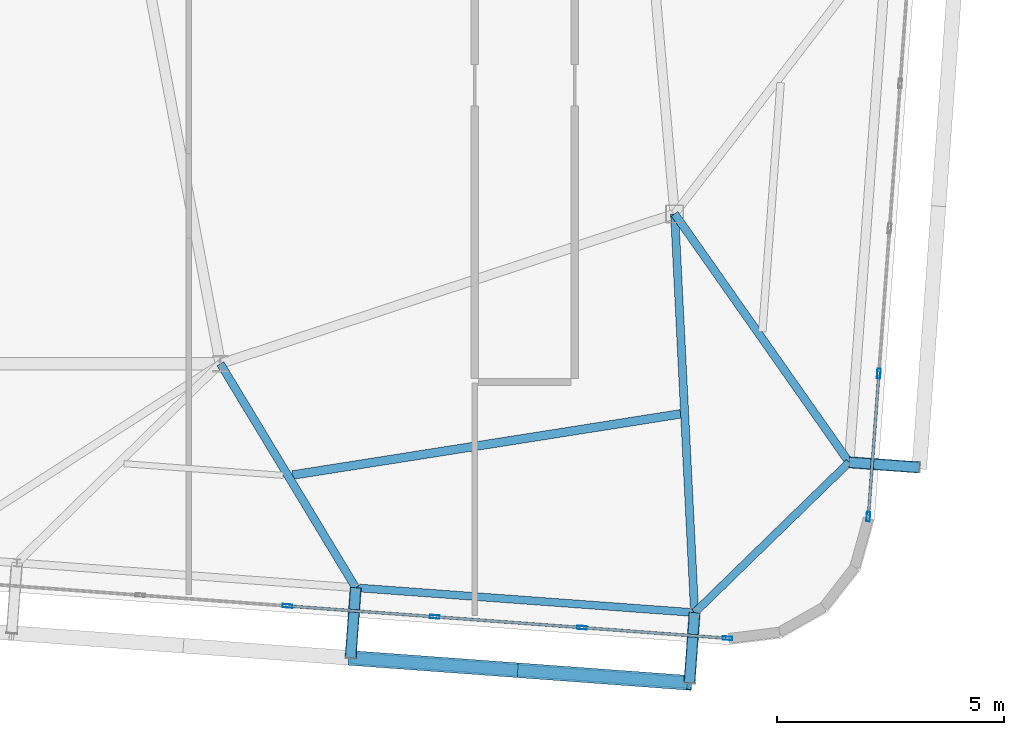
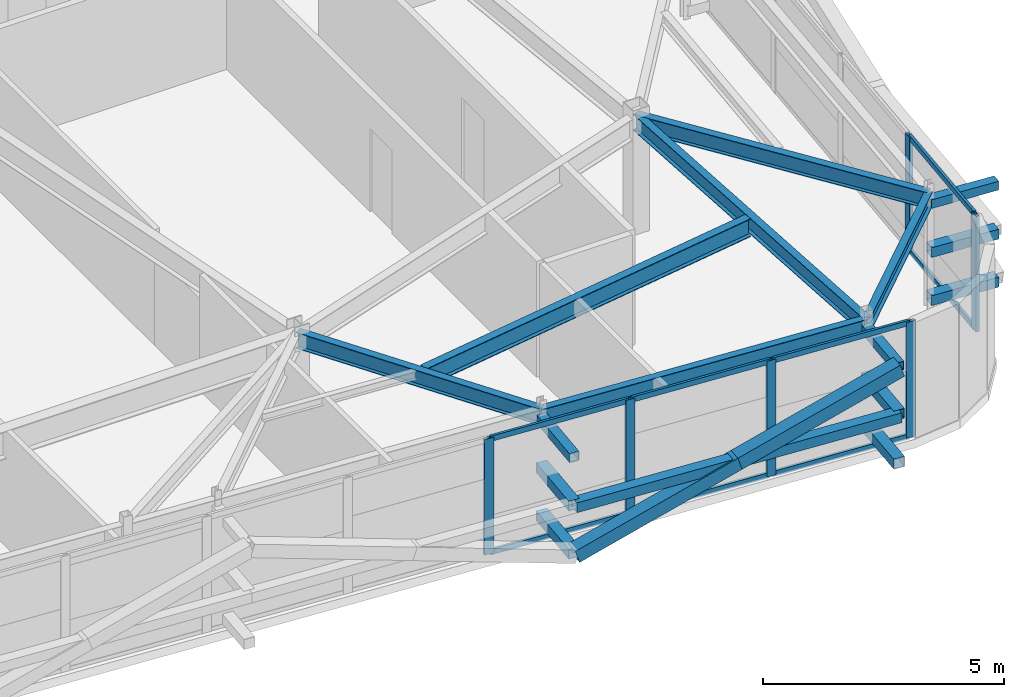
# One storey, part 19 of 42: 26 members, 6 beams, 2 elements without a shape of their own.
"""IFC4 building model written with IfcOpenShell, lengths in metres."""

from ifc_helpers import new_model, si_unit, direction, frame, origin, origin_2d, place, context, subcontext, project, spatial, hollow_rectangle, i_section, extrude, source, transform, mapped, material, layer, layer_set, material_profile, profile_set, type_object, element, aggregate, save


model = new_model("IFC4")

# Units and contexts
model_context = context("Model", 3, precision=1e-05, world=origin(), true_north=direction((0.0, 1.0)))
body_context = subcontext(model_context, "Body", "Model", "MODEL_VIEW")
ifc_project = project(units=[si_unit("LENGTHUNIT", "METRE"), si_unit("AREAUNIT", "SQUARE_METRE"), si_unit("VOLUMEUNIT", "CUBIC_METRE"), si_unit("PLANEANGLEUNIT", "RADIAN"), si_unit("MASSUNIT", "GRAM", prefix="KILO")], contexts=[model_context])

# Site, building, storey
site_placement = place(None, origin())
site = spatial("IfcSite", under=ifc_project, at=site_placement, CompositionType="ELEMENT")
building_placement = place(site_placement, origin())
building = spatial("IfcBuilding", under=site, at=building_placement, Name="Taldren Reach Tower", CompositionType="ELEMENT")
storey_placement = place(building_placement, frame((0.0, 0.0, 224.0)))
storey = spatial("IfcBuildingStorey", under=building, at=storey_placement, Name="L68", CompositionType="ELEMENT", Elevation=224.0)

# Members
ifc_material_1 = material(Name="Steel Gr 350 (C350L0)", Category="steel")
ifc_material_profile_1 = material_profile(ifc_material_1, hollow_rectangle(XDim=0.25, YDim=0.25, WallThickness=0.010009765625, at=origin_2d()), Name="250x250x10.0SHS")
ifc_profile_set_1 = profile_set([ifc_material_profile_1], Name="Steel Gr 350 (C350L0)")
member_type_1 = type_object("IfcMemberType", Name="MB-POST250", PredefinedType="POST", material=ifc_profile_set_1)
shared_shape_1 = source(origin(), body_context, "Body", "SweptSolid", [
    extrude(hollow_rectangle(XDim=0.25, YDim=0.25, WallThickness=0.010009765625, at=origin_2d()), origin(), (0.0, 0.0, 1.0), 1.550048828125),
])
for number, where, z_axis, x_axis, name in (
    (1, (44.980224609375, 4.26904296875, 0.219970703125), (-0.07323929162, -0.997314396849, 0.0), (0.997314396849, -0.07323929162, 0.0), "Exoskeleton base diaphragm tie strut B5-S5 L68"),
    (2, (52.440185546875, 3.72119140625, 0.219970703125), (-0.07323929162, -0.997314396849, 0.0), (0.997314396849, -0.07323929162, 0.0), "Exoskeleton base diaphragm tie strut B5-S6 L68"),
    (3, (44.980224609375, 4.26904296875, 1.43505859375), (-0.07323929162, -0.997314396849, 0.0), (0.997314396849, -0.07323929162, 0.0), "Exoskeleton mid-tier diaphragm tie B5-S5 L68"),
    (4, (52.440185546875, 3.72119140625, 1.43505859375), (-0.07323929162, -0.997314396849, 0.0), (0.997314396849, -0.07323929162, 0.0), "Exoskeleton mid-tier diaphragm tie B5-S6 L68"),
):
    element("IfcMember", number, at=place(storey_placement, frame(where, z_axis=z_axis, x_axis=x_axis)), inside=storey, type_object=member_type_1, Name=name, PredefinedType="POST", context=body_context, shape_type="MappedRepresentation", body=[
        mapped(shared_shape_1, transform((0.0, 0.0, 0.0), scale=1.0)),
    ])
ifc_material_2 = material(Name="Steel Gr 450 (C450L0)", Category="steel")
ifc_material_profile_2 = material_profile(ifc_material_2, hollow_rectangle(XDim=0.219970703125, YDim=0.219970703125, WallThickness=0.00830078125, at=origin_2d()), Name="220x220x8.2SHS")
ifc_profile_set_2 = profile_set([ifc_material_profile_2], Name="Steel Gr 450 (C450L0)")
member_type_2 = type_object("IfcMemberType", Name="MB-TIE219", PredefinedType="STRUT", material=ifc_profile_set_2)
shared_shape_2 = source(origin(), body_context, "Body", "SweptSolid", [
    extrude(hollow_rectangle(XDim=0.219970703125, YDim=0.219970703125, WallThickness=0.00830078125, at=origin_2d()), origin(), (0.0, 0.0, 1.0), 1.550048828125),
])
for number, where, z_axis, x_axis, name in (
    (5, (44.980224609375, 4.26904296875, 2.64990234375), (-0.07323929162, -0.997314396849, 0.0), (0.997314396849, -0.07323929162, 0.0), "Exoskeleton diaphragm tie strut B5-S5 L68"),
    (6, (52.440185546875, 3.72119140625, 2.64990234375), (-0.07323929162, -0.997314396849, 0.0), (0.997314396849, -0.07323929162, 0.0), "Exoskeleton diaphragm tie strut B5-S6 L68"),
):
    element("IfcMember", number, at=place(storey_placement, frame(where, z_axis=z_axis, x_axis=x_axis)), inside=storey, type_object=member_type_2, Name=name, PredefinedType="STRUT", context=body_context, shape_type="MappedRepresentation", body=[
        mapped(shared_shape_2, transform((0.0, 0.0, 0.0), scale=1.0)),
    ])

# Beams
ifc_material_3 = material(Name="Steel Gr 350 (350PLUS)", Category="steel")
ifc_material_profile_3 = material_profile(ifc_material_3, i_section(OverallWidth=0.172119140625, OverallDepth=0.35888671875, WebThickness=0.008056640625, FlangeThickness=0.012939453125, at=origin_2d()), Name="360UB56.7")
ifc_profile_set_3 = profile_set([ifc_material_profile_3], Name="Steel Gr 350 (350PLUS)")
beam_type_1 = type_object("IfcBeamType", Name="SP-UB360", PredefinedType="SPANDREL", material=ifc_profile_set_3)
shared_shape_3 = source(origin(), body_context, "Body", "SweptSolid", [
    extrude(i_section(OverallWidth=0.172119140625, OverallDepth=0.35888671875, WebThickness=0.008056640625, FlangeThickness=0.012939453125, at=origin_2d()), origin(), (0.0, 0.0, 1.0), 7.47998046875),
])
beam_1_placement = place(storey_placement, frame((44.980224609375, 4.26904296875, 2.75048828125), z_axis=(0.997314220642, -0.07324169103, 0.0), x_axis=(0.07324169103, 0.997314220642, 0.0)))
element("IfcBeam", 7, at=beam_1_placement, inside=storey, type_object=beam_type_1, Name="Perimeter spandrel B5 S5-S6 L68", PredefinedType="SPANDREL", context=body_context, shape_type="MappedRepresentation", body=[
    mapped(shared_shape_3, transform((0.0, 0.0, 0.0), scale=1.0)),
])
shared_shape_4 = source(origin(), body_context, "Body", "SweptSolid", [
    extrude(i_section(OverallWidth=0.172119140625, OverallDepth=0.35888671875, WebThickness=0.008056640625, FlangeThickness=0.012939453125, at=origin_2d()), origin(), (0.0, 0.0, 1.0), 4.74609375),
])
beam_2_placement = place(storey_placement, frame((52.440185546875, 3.72119140625, 2.75048828125), z_axis=(0.716711338436, 0.697369957309, 0.0), x_axis=(-0.697369957309, 0.716711338436, 0.0)))
element("IfcBeam", 8, at=beam_2_placement, inside=storey, type_object=beam_type_1, Name="Perimeter spandrel B5 S6-E1 L68", PredefinedType="SPANDREL", context=body_context, shape_type="MappedRepresentation", body=[
    mapped(shared_shape_4, transform((0.0, 0.0, 0.0), scale=1.0)),
])
ifc_material_profile_4 = material_profile(ifc_material_3, i_section(OverallWidth=0.177978515625, OverallDepth=0.406005859375, WebThickness=0.0078125, FlangeThickness=0.0126953125, at=origin_2d()), Name="410UB59.7")
ifc_profile_set_4 = profile_set([ifc_material_profile_4], Name="Steel Gr 350 (350PLUS)")
beam_type_2 = type_object("IfcBeamType", Name="BM-UB410", PredefinedType="BEAM", material=ifc_profile_set_4)
shared_shape_5 = source(origin(), body_context, "Body", "SweptSolid", [
    extrude(i_section(OverallWidth=0.177978515625, OverallDepth=0.406005859375, WebThickness=0.0078125, FlangeThickness=0.0126953125, at=origin_2d()), origin(), (0.0, 0.0, 1.0), 5.761474609375),
])
beam_3_placement = place(storey_placement, frame((42.0, 9.199951171875, 2.72705078125), z_axis=(0.517259852514, -0.855828396922, 0.0), x_axis=(0.855828396922, 0.517259852514, 0.0)))
element("IfcBeam", 9, at=beam_3_placement, inside=storey, type_object=beam_type_2, Name="Primary floor girder B5-S5 L68", PredefinedType="BEAM", context=body_context, shape_type="MappedRepresentation", body=[
    mapped(shared_shape_5, transform((0.0, 0.0, 0.0), scale=1.0)),
])
shared_shape_6 = source(origin(), body_context, "Body", "SweptSolid", [
    extrude(i_section(OverallWidth=0.177978515625, OverallDepth=0.406005859375, WebThickness=0.0078125, FlangeThickness=0.0126953125, at=origin_2d()), origin(), (0.0, 0.0, 1.0), 8.789794921875),
])
beam_4_placement = place(storey_placement, frame((52.0, 12.5, 2.72705078125), z_axis=(0.050078917367, -0.998745263836, 0.0), x_axis=(0.998745263836, 0.050078917367, 0.0)))
element("IfcBeam", 10, at=beam_4_placement, inside=storey, type_object=beam_type_2, Name="Primary floor girder B5-S6 L68", PredefinedType="BEAM", context=body_context, shape_type="MappedRepresentation", body=[
    mapped(shared_shape_6, transform((0.0, 0.0, 0.0), scale=1.0)),
])
shared_shape_7 = source(origin(), body_context, "Body", "SweptSolid", [
    extrude(i_section(OverallWidth=0.177978515625, OverallDepth=0.406005859375, WebThickness=0.0078125, FlangeThickness=0.0126953125, at=origin_2d()), origin(), (0.0, 0.0, 1.0), 6.68359375),
])
beam_5_placement = place(storey_placement, frame((52.0, 12.5, 2.72705078125), z_axis=(0.574817292651, -0.818281785249, 0.0), x_axis=(0.818281785249, 0.574817292651, 0.0)))
element("IfcBeam", 11, at=beam_5_placement, inside=storey, type_object=beam_type_2, Name="Primary floor girder B5-E1 L68", PredefinedType="BEAM", context=body_context, shape_type="MappedRepresentation", body=[
    mapped(shared_shape_7, transform((0.0, 0.0, 0.0), scale=1.0)),
])
ifc_material_profile_5 = material_profile(ifc_material_3, i_section(OverallWidth=0.19091796875, OverallDepth=0.4599609375, WebThickness=0.010009765625, FlangeThickness=0.01611328125, at=origin_2d()), Name="460UB82.1")
ifc_profile_set_5 = profile_set([ifc_material_profile_5], Name="Steel Gr 350 (350PLUS)")
beam_type_3 = type_object("IfcBeamType", Name="BM-UB460A", PredefinedType="BEAM", material=ifc_profile_set_5)
shared_shape_8 = source(origin(), body_context, "Body", "SweptSolid", [
    extrude(i_section(OverallWidth=0.19091796875, OverallDepth=0.4599609375, WebThickness=0.010009765625, FlangeThickness=0.01611328125, at=origin_2d()), origin(), (0.0, 0.0, 1.0), 8.65185546875),
])
beam_6_placement = place(storey_placement, frame((43.585205078125, 6.74951171875, 2.699951171875), z_axis=(0.987803200413, 0.155707537562, 0.0), x_axis=(-0.155707537562, 0.987803200413, 0.0)))
element("IfcBeam", 12, at=beam_6_placement, inside=storey, type_object=beam_type_3, Name="Secondary floor beam B5 J5 L68", PredefinedType="BEAM", context=body_context, shape_type="MappedRepresentation", body=[
    mapped(shared_shape_8, transform((0.0, 0.0, 0.0), scale=1.0)),
])

# Members
shared_shape_9 = source(origin(), body_context, "Body", "SweptSolid", [
    extrude(hollow_rectangle(XDim=0.219970703125, YDim=0.219970703125, WallThickness=0.00830078125, at=origin_2d()), origin(), (0.0, 0.0, 1.0), 1.546142578125),
])
member_1_placement = place(storey_placement, frame((55.845703125, 7.030517578125, 2.64990234375), z_axis=(0.997323903953, -0.073109716202, 0.0), x_axis=(0.073109716202, 0.997323903953, 0.0)))
element("IfcMember", 13, at=member_1_placement, inside=storey, type_object=member_type_2, Name="Exoskeleton diaphragm tie strut B5-E1 L68", PredefinedType="STRUT", context=body_context, shape_type="MappedRepresentation", body=[
    mapped(shared_shape_9, transform((0.0, 0.0, 0.0), scale=1.0)),
])
ifc_material_profile_6 = material_profile(ifc_material_2, hollow_rectangle(XDim=0.324951171875, YDim=0.324951171875, WallThickness=0.0126953125, at=origin_2d()), Name="325x325x12.7SHS")
ifc_profile_set_6 = profile_set([ifc_material_profile_6], Name="Steel Gr 450 (C450L0)")
member_type_3 = type_object("IfcMemberType", Name="MB-BR324", PredefinedType="BRACE", material=ifc_profile_set_6)
shared_shape_10 = source(origin(), body_context, "Body", "SweptSolid", [
    extrude(hollow_rectangle(XDim=0.324951171875, YDim=0.324951171875, WallThickness=0.0126953125, at=origin_2d()), origin(), (0.0, 0.0, 1.0), 3.932373046875),
])
for number, where, z_axis, x_axis, name in (
    (14, (44.86669921875, 2.72314453125, 0.219970703125), (0.948511132845, -0.069657644394, 0.308989390507), (0.07324169103, 0.997314220642, 0.0), "Exoskeleton Diagrid Brace B5-S5 L68"),
    (15, (48.5966796875, 2.44921875, 1.43505859375), (0.948529326954, -0.06965898055, 0.308933232813), (0.07324169103, 0.997314220642, 0.0), "Exoskeleton Diagrid Brace B5-S5 L68"),
):
    element("IfcMember", number, at=place(storey_placement, frame(where, z_axis=z_axis, x_axis=x_axis)), inside=storey, type_object=member_type_3, Name=name, PredefinedType="BRACE", context=body_context, shape_type="MappedRepresentation", body=[
        mapped(shared_shape_10, transform((0.0, 0.0, 0.0), scale=1.0)),
    ])
shared_shape_11 = source(origin(), body_context, "Body", "SweptSolid", [
    extrude(hollow_rectangle(XDim=0.25, YDim=0.25, WallThickness=0.010009765625, at=origin_2d()), origin(), (0.0, 0.0, 1.0), 7.47998046875),
])
member_2_placement = place(storey_placement, frame((44.86669921875, 2.72314453125, 1.43505859375), z_axis=(0.997314220642, -0.07324169103, 0.0), x_axis=(0.07324169103, 0.997314220642, 0.0)))
element("IfcMember", 16, at=member_2_placement, inside=storey, type_object=member_type_1, Name="Exoskeleton mid-height ring chord B5-S5 L68", PredefinedType="POST", context=body_context, shape_type="MappedRepresentation", body=[
    mapped(shared_shape_11, transform((0.0, 0.0, 0.0), scale=1.0)),
])
shared_shape_12 = source(origin(), body_context, "Body", "SweptSolid", [
    extrude(hollow_rectangle(XDim=0.25, YDim=0.25, WallThickness=0.010009765625, at=origin_2d()), origin(), (0.0, 0.0, 1.0), 1.546142578125),
])
for number, where, z_axis, x_axis, name in (
    (17, (55.845703125, 7.030517578125, 0.219970703125), (0.997323903953, -0.073109716202, 0.0), (0.073109716202, 0.997323903953, 0.0), "Exoskeleton base diaphragm tie strut B5-E1 L68"),
    (18, (55.845703125, 7.030517578125, 1.43505859375), (0.997323903953, -0.073109716202, 0.0), (0.073109716202, 0.997323903953, 0.0), "Exoskeleton mid-tier diaphragm tie B5-E1 L68"),
):
    element("IfcMember", number, at=place(storey_placement, frame(where, z_axis=z_axis, x_axis=x_axis)), inside=storey, type_object=member_type_1, Name=name, PredefinedType="POST", context=body_context, shape_type="MappedRepresentation", body=[
        mapped(shared_shape_12, transform((0.0, 0.0, 0.0), scale=1.0)),
    ])

# Curtain wall, members
ifc_material_4 = material(Name="Aluminium and Low-E Glass Unitised System", Category="aluminium")
ifc_layer = layer(ifc_material_4, 0.159912109375)
ifc_layer_set = layer_set([ifc_layer], Name="Aluminium and Low-E Glass Unitised System")
curtain_wall_type = type_object("IfcCurtainWallType", Name="CW-SYS-6", PredefinedType="NOTDEFINED", material=ifc_layer_set)
curtain_wall_1_placement = place(storey_placement, origin())
curtain_wall_1 = element("IfcCurtainWall", 19, at=curtain_wall_1_placement, inside=storey, type_object=curtain_wall_type, Name="Unitised curtain wall CW-L68-S", PredefinedType="NOTDEFINED")
ifc_material_5 = material(Name="Anodised Aluminium 6063-T6", Category="aluminium")
ifc_material_profile_7 = material_profile(ifc_material_5, hollow_rectangle(XDim=0.074951171875, YDim=0.2099609375, WallThickness=0.00439453125, at=origin_2d()), Name="ALU-210x75x4.5RHS")
ifc_profile_set_7 = profile_set([ifc_material_profile_7], Name="Anodised Aluminium 6063-T6")
member_type_4 = type_object("IfcMemberType", Name="CW-MUL-200", PredefinedType="MULLION", material=ifc_profile_set_7)
shared_shape_13 = source(origin(), body_context, "Body", "SweptSolid", [
    extrude(hollow_rectangle(XDim=0.074951171875, YDim=0.2099609375, WallThickness=0.00439453125, at=origin_2d()), origin(), (0.0, 0.0, 1.0), 2.929931640625),
])
member_3_placement = place(storey_placement, frame((43.476806640625, 3.867919921875, 0.0), z_axis=(0.0, 0.0, 1.0), x_axis=(0.073238213716, 0.997314476006, 0.0)))
member_3 = element("IfcMember", 20, at=member_3_placement, type_object=member_type_4, Name="CW-6 mullion 10", PredefinedType="MULLION", context=body_context, shape_type="MappedRepresentation", body=[
    mapped(shared_shape_13, transform((0.0, 0.0, 0.0), scale=1.0)),
])
member_4_placement = place(storey_placement, frame((46.71826171875, 3.6298828125, 0.0), z_axis=(0.0, 0.0, 1.0), x_axis=(0.073238213716, 0.997314476006, 0.0)))
member_4 = element("IfcMember", 21, at=member_4_placement, type_object=member_type_4, Name="CW-6 mullion 11", PredefinedType="MULLION", context=body_context, shape_type="MappedRepresentation", body=[
    mapped(shared_shape_13, transform((0.0, 0.0, 0.0), scale=1.0)),
])
member_5_placement = place(storey_placement, frame((49.95947265625, 3.391845703125, 0.0), z_axis=(0.0, 0.0, 1.0), x_axis=(0.073238213716, 0.997314476006, 0.0)))
member_5 = element("IfcMember", 22, at=member_5_placement, type_object=member_type_4, Name="CW-6 mullion 12", PredefinedType="MULLION", context=body_context, shape_type="MappedRepresentation", body=[
    mapped(shared_shape_13, transform((0.0, 0.0, 0.0), scale=1.0)),
])
member_6_placement = place(storey_placement, frame((53.163330078125, 3.15673828125, 0.0), z_axis=(0.0, 0.0, 1.0), x_axis=(0.073238213716, 0.997314476006, 0.0)))
member_6 = element("IfcMember", 23, at=member_6_placement, type_object=member_type_4, Name="CW-6 mullion 13", PredefinedType="MULLION", context=body_context, shape_type="MappedRepresentation", body=[
    mapped(shared_shape_13, transform((0.0, 0.0, 0.0), scale=1.0)),
])

curtain_wall_2_placement = place(storey_placement, origin())
curtain_wall_2 = element("IfcCurtainWall", 24, at=curtain_wall_2_placement, inside=storey, type_object=curtain_wall_type, Name="Unitised curtain wall CW-L68-E", PredefinedType="NOTDEFINED")
member_7_placement = place(storey_placement, frame((56.26513671875, 5.834228515625, 0.0), z_axis=(0.0, 0.0, 1.0), x_axis=(-0.997314470951, 0.073238282558, 0.0)))
member_7 = element("IfcMember", 25, at=member_7_placement, type_object=member_type_4, Name="CW-6 mullion 1", PredefinedType="MULLION", context=body_context, shape_type="MappedRepresentation", body=[
    mapped(shared_shape_13, transform((0.0, 0.0, 0.0), scale=1.0)),
])
member_8_placement = place(storey_placement, frame((56.496826171875, 8.98828125, 0.0), z_axis=(0.0, 0.0, 1.0), x_axis=(-0.997314470951, 0.073238282558, 0.0)))
member_8 = element("IfcMember", 26, at=member_8_placement, type_object=member_type_4, Name="CW-6 mullion 2", PredefinedType="MULLION", context=body_context, shape_type="MappedRepresentation", body=[
    mapped(shared_shape_13, transform((0.0, 0.0, 0.0), scale=1.0)),
])

# Member
ifc_material_profile_8 = material_profile(ifc_material_5, hollow_rectangle(XDim=0.06005859375, YDim=0.135009765625, WallThickness=0.00341796875, at=origin_2d()), Name="ALU-135x60x3.5RHS")
ifc_profile_set_8 = profile_set([ifc_material_profile_8], Name="Anodised Aluminium 6063-T6")
member_type_5 = type_object("IfcMemberType", Name="CW-TRN-150", PredefinedType="USERDEFINED", material=ifc_profile_set_8)
shared_shape_14 = source(origin(), body_context, "Body", "SweptSolid", [
    extrude(hollow_rectangle(XDim=0.06005859375, YDim=0.135009765625, WallThickness=0.00341796875, at=origin_2d()), origin(), (0.0, 0.0, 1.0), 3.1748046875),
])
member_9_placement = place(storey_placement, frame((43.514404296875, 3.865234375, 0.030029296875), z_axis=(0.997316632709, -0.073208839104, 0.0), x_axis=(0.073208839104, 0.997316632709, 0.0)))
member_9 = element("IfcMember", 27, at=member_9_placement, type_object=member_type_5, Name="CW-6 transom 10.1", ObjectType="TRANSOM", PredefinedType="USERDEFINED", context=body_context, shape_type="MappedRepresentation", body=[
    mapped(shared_shape_14, transform((0.0, 0.0, 0.0), scale=1.0)),
])

member_10_placement = place(storey_placement, frame((43.514404296875, 3.865234375, 2.89990234375), z_axis=(0.997316632709, -0.073208839104, 0.0), x_axis=(0.073208839104, 0.997316632709, 0.0)))
member_10 = element("IfcMember", 28, at=member_10_placement, type_object=member_type_5, Name="CW-6 transom 10.2", ObjectType="TRANSOM", PredefinedType="USERDEFINED", context=body_context, shape_type="MappedRepresentation", body=[
    mapped(shared_shape_14, transform((0.0, 0.0, 0.0), scale=1.0)),
])

shared_shape_15 = source(origin(), body_context, "Body", "SweptSolid", [
    extrude(hollow_rectangle(XDim=0.06005859375, YDim=0.135009765625, WallThickness=0.00341796875, at=origin_2d()), origin(), (0.0, 0.0, 1.0), 3.175048828125),
])
member_11_placement = place(storey_placement, frame((46.755615234375, 3.627197265625, 0.030029296875), z_axis=(0.99731704481, -0.073203224877, 0.0), x_axis=(0.073203224877, 0.99731704481, 0.0)))
member_11 = element("IfcMember", 29, at=member_11_placement, type_object=member_type_5, Name="CW-6 transom 11.1", ObjectType="TRANSOM", PredefinedType="USERDEFINED", context=body_context, shape_type="MappedRepresentation", body=[
    mapped(shared_shape_15, transform((0.0, 0.0, 0.0), scale=1.0)),
])

member_12_placement = place(storey_placement, frame((46.755615234375, 3.627197265625, 2.89990234375), z_axis=(0.99731704481, -0.073203224877, 0.0), x_axis=(0.073203224877, 0.99731704481, 0.0)))
member_12 = element("IfcMember", 30, at=member_12_placement, type_object=member_type_5, Name="CW-6 transom 11.2", ObjectType="TRANSOM", PredefinedType="USERDEFINED", context=body_context, shape_type="MappedRepresentation", body=[
    mapped(shared_shape_15, transform((0.0, 0.0, 0.0), scale=1.0)),
])

shared_shape_16 = source(origin(), body_context, "Body", "SweptSolid", [
    extrude(hollow_rectangle(XDim=0.06005859375, YDim=0.135009765625, WallThickness=0.00341796875, at=origin_2d()), origin(), (0.0, 0.0, 1.0), 3.137451171875),
])
member_13_placement = place(storey_placement, frame((49.996826171875, 3.38916015625, 0.030029296875), z_axis=(0.997315736795, -0.073221043015, 0.0), x_axis=(0.073221043015, 0.997315736795, 0.0)))
member_13 = element("IfcMember", 31, at=member_13_placement, type_object=member_type_5, Name="CW-6 transom 12.1", ObjectType="TRANSOM", PredefinedType="USERDEFINED", context=body_context, shape_type="MappedRepresentation", body=[
    mapped(shared_shape_16, transform((0.0, 0.0, 0.0), scale=1.0)),
])

member_14_placement = place(storey_placement, frame((49.996826171875, 3.38916015625, 2.89990234375), z_axis=(0.997315736795, -0.073221043015, 0.0), x_axis=(0.073221043015, 0.997315736795, 0.0)))
member_14 = element("IfcMember", 32, at=member_14_placement, type_object=member_type_5, Name="CW-6 transom 12.2", ObjectType="TRANSOM", PredefinedType="USERDEFINED", context=body_context, shape_type="MappedRepresentation", body=[
    mapped(shared_shape_16, transform((0.0, 0.0, 0.0), scale=1.0)),
])

aggregate(curtain_wall_1, [member_3, member_4, member_5, member_6, member_9, member_10, member_11, member_12, member_13, member_14])

shared_shape_17 = source(origin(), body_context, "Body", "SweptSolid", [
    extrude(hollow_rectangle(XDim=0.06005859375, YDim=0.135009765625, WallThickness=0.00341796875, at=origin_2d()), origin(), (0.0, 0.0, 1.0), 3.08740234375),
])
member_15_placement = place(storey_placement, frame((56.26806640625, 5.87158203125, 0.030029296875), z_axis=(0.073225031802, 0.997315443938, 0.0), x_axis=(-0.997315443938, 0.073225031802, 0.0)))
member_15 = element("IfcMember", 33, at=member_15_placement, type_object=member_type_5, Name="CW-6 transom 1.1", ObjectType="TRANSOM", PredefinedType="USERDEFINED", context=body_context, shape_type="MappedRepresentation", body=[
    mapped(shared_shape_17, transform((0.0, 0.0, 0.0), scale=1.0)),
])

member_16_placement = place(storey_placement, frame((56.26806640625, 5.87158203125, 2.89990234375), z_axis=(0.073225031802, 0.997315443938, 0.0), x_axis=(-0.997315443938, 0.073225031802, 0.0)))
member_16 = element("IfcMember", 34, at=member_16_placement, type_object=member_type_5, Name="CW-6 transom 1.2", ObjectType="TRANSOM", PredefinedType="USERDEFINED", context=body_context, shape_type="MappedRepresentation", body=[
    mapped(shared_shape_17, transform((0.0, 0.0, 0.0), scale=1.0)),
])

aggregate(curtain_wall_2, [member_7, member_8, member_15, member_16])

save(model, "model.ifc")
